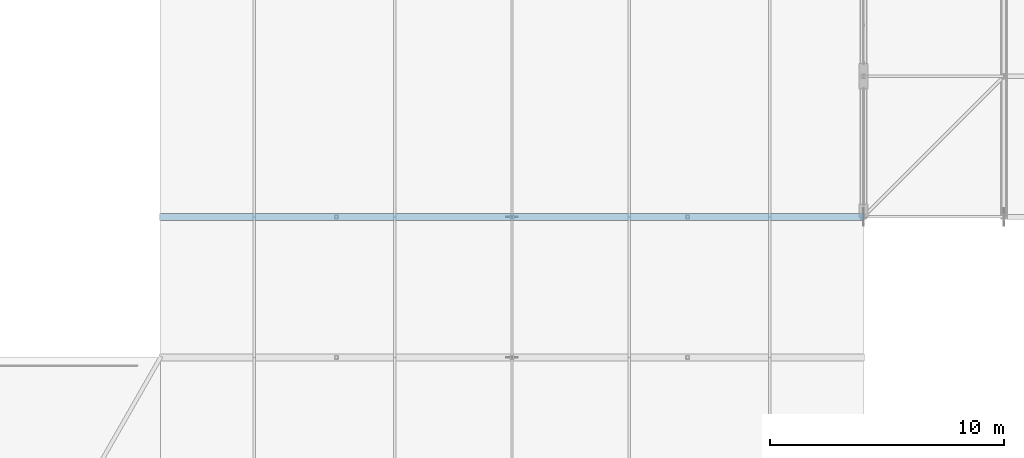
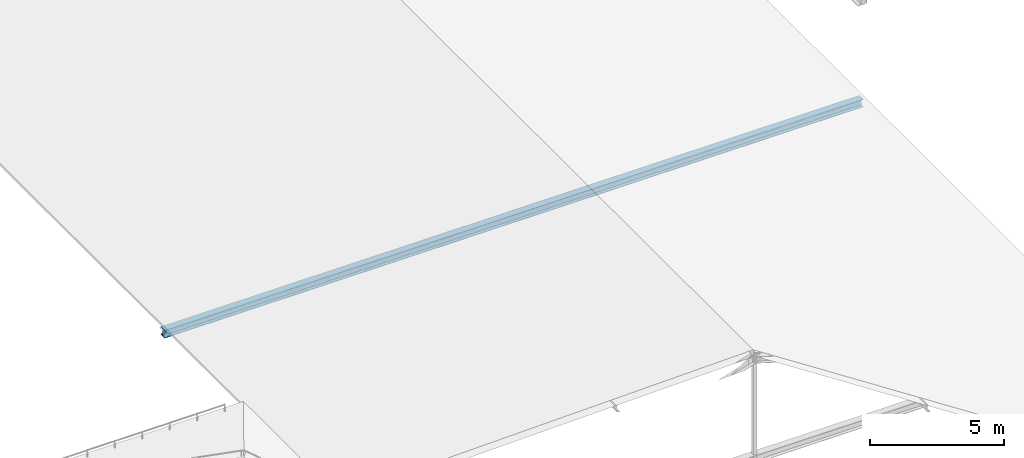
# One storey, part 58 of 204: 1 member.
"""IFC4 building model written with IfcOpenShell, lengths in metres."""

from ifc_helpers import new_model, si_unit, direction, frame, origin, origin_2d, place, context, subcontext, project, spatial, i_section, extrude, material, material_profile, profile_set, type_object, element, save


model = new_model("IFC4")

# Units and contexts
model_context = context("Model", 3, precision=1e-05, world=origin(), true_north=direction((0.0, 1.0)))
body_context = subcontext(model_context, "Body", "Model", "MODEL_VIEW")
ifc_project = project(units=[si_unit("LENGTHUNIT", "METRE"), si_unit("AREAUNIT", "SQUARE_METRE"), si_unit("VOLUMEUNIT", "CUBIC_METRE"), si_unit("PLANEANGLEUNIT", "RADIAN"), si_unit("MASSUNIT", "GRAM", prefix="KILO")], contexts=[model_context])

# Site, building, storey
site_placement = place(None, origin())
site = spatial("IfcSite", under=ifc_project, at=site_placement, CompositionType="ELEMENT")
building_placement = place(site_placement, origin())
building = spatial("IfcBuilding", under=site, at=building_placement, Name="Zilviju Railside Exhibition Hall", CompositionType="ELEMENT")
storey_placement = place(building_placement, frame((0.0, 0.0, 21.0)))
storey = spatial("IfcBuildingStorey", under=building, at=storey_placement, Name="RF", CompositionType="ELEMENT", Elevation=21.0)

# Member
ifc_material = material(Name="Steel S355J2", Category="steel")
ifc_material_profile = material_profile(ifc_material, i_section(OverallWidth=0.300048828125, OverallDepth=0.35009765625, WebThickness=0.010009765625, FlangeThickness=0.017578125, at=origin_2d()), Name="HEA 360")
ifc_profile_set = profile_set([ifc_material_profile], Name="Steel S355J2")
member_type = type_object("IfcMemberType", Name="TR-CH-HEA360", PredefinedType="CHORD", material=ifc_profile_set)
member_placement = place(storey_placement, frame((48.0, 84.0, -8.39990234375), z_axis=(1.0, 0.0, 0.0), x_axis=(0.0, 1.0, 0.0)))
element("IfcMember", 1, at=member_placement, inside=storey, type_object=member_type, Name="Concourse Saddle Tie Chord Y=84.0", PredefinedType="CHORD", context=body_context, shape_type="SweptSolid", body=[
    extrude(i_section(OverallWidth=0.300048828125, OverallDepth=0.35009765625, WebThickness=0.010009765625, FlangeThickness=0.017578125, at=origin_2d()), origin(), (0.0, 0.0, 1.0), 30.0),
])

save(model, "model.ifc")
